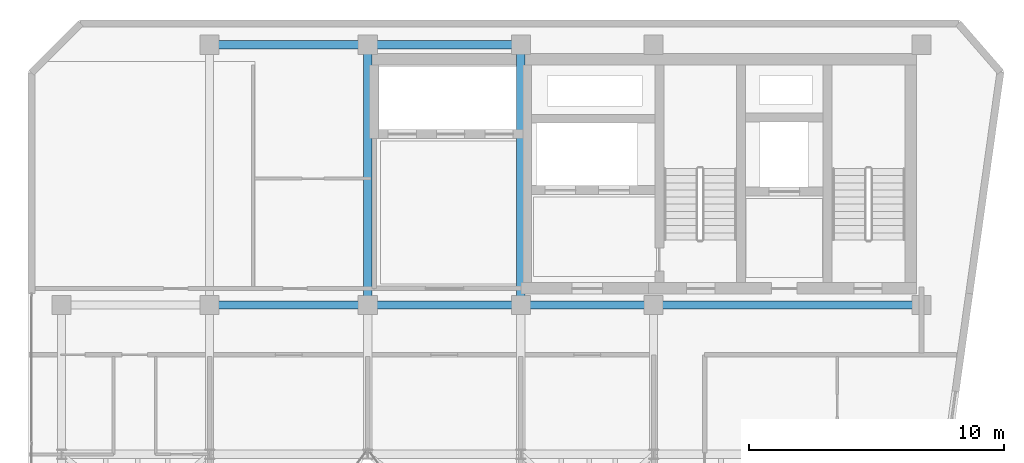
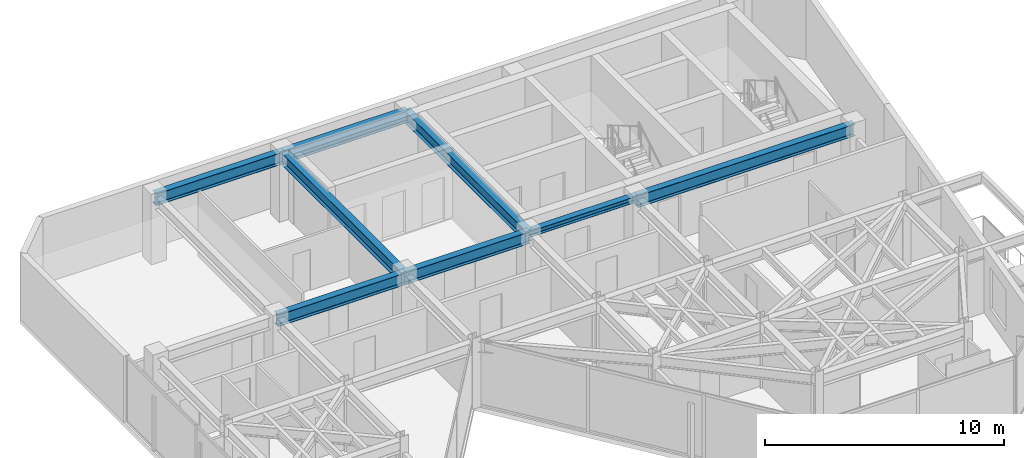
# One storey, part 11 of 17: 8 beams.
"""IFC4 building model written with IfcOpenShell, lengths in metres."""

from ifc_helpers import new_model, si_unit, direction, frame, origin, origin_2d, place, context, subcontext, project, spatial, i_section, extrude, material, material_profile, profile_set, type_object, element, save


model = new_model("IFC4")

# Units and contexts
model_context = context("Model", 3, precision=1e-05, world=origin(), true_north=direction((0.0, 1.0)))
body_context = subcontext(model_context, "Body", "Model", "MODEL_VIEW")
ifc_project = project(units=[si_unit("LENGTHUNIT", "METRE"), si_unit("AREAUNIT", "SQUARE_METRE"), si_unit("VOLUMEUNIT", "CUBIC_METRE"), si_unit("PLANEANGLEUNIT", "RADIAN"), si_unit("MASSUNIT", "GRAM", prefix="KILO")], contexts=[model_context])

# Site, building, storey
site_placement = place(None, origin())
site = spatial("IfcSite", under=ifc_project, at=site_placement, CompositionType="ELEMENT")
building_placement = place(site_placement, origin())
building = spatial("IfcBuilding", under=site, at=building_placement, Name="Kravanh Interchange Tower", CompositionType="ELEMENT")
storey_placement = place(building_placement, frame((0.0, 0.0, 289.5)))
storey = spatial("IfcBuildingStorey", under=building, at=storey_placement, Name="L71", CompositionType="ELEMENT", Elevation=289.5)

# Beams
ifc_material_1 = material(Name="Structural Steel S355", Category="steel")
ifc_material_profile_1 = material_profile(ifc_material_1, i_section(OverallWidth=0.323974609375, OverallDepth=0.611083984375, WebThickness=0.0126953125, FlangeThickness=0.01904296875, FilletRadius=0.02197265625, at=origin_2d()), Name="W24X104")
ifc_profile_set_1 = profile_set([ifc_material_profile_1], Name="Structural Steel S355")
beam_type_1 = type_object("IfcBeamType", Name="Floor Beam W24X104 Structural Steel S355", PredefinedType="BEAM", material=ifc_profile_set_1)
beam_1_placement = place(storey_placement, frame((66.5, 37.35009765625, 3.0595703125), z_axis=(-1.0, 0.0, 0.0), x_axis=(0.0, -1.0, 0.0)))
element("IfcBeam", 1, at=beam_1_placement, inside=storey, type_object=beam_type_1, Name="L71 Primary Floor Girder 38", PredefinedType="BEAM", context=body_context, shape_type="SweptSolid", body=[
    extrude(i_section(OverallWidth=0.323974609375, OverallDepth=0.611083984375, WebThickness=0.0126953125, FlangeThickness=0.01904296875, FilletRadius=0.02197265625, at=origin_2d()), origin(), (0.0, 0.0, 1.0), 10.5),
])
beam_2_placement = place(storey_placement, frame((50.800048828125, 47.550048828125, 3.0595703125), z_axis=(-1.0, 0.0, 0.0), x_axis=(0.0, -1.0, 0.0)))
element("IfcBeam", 2, at=beam_2_placement, inside=storey, type_object=beam_type_1, Name="L71 Primary Floor Girder 40", PredefinedType="BEAM", context=body_context, shape_type="SweptSolid", body=[
    extrude(i_section(OverallWidth=0.323974609375, OverallDepth=0.611083984375, WebThickness=0.0126953125, FlangeThickness=0.01904296875, FilletRadius=0.02197265625, at=origin_2d()), origin(), (0.0, 0.0, 1.0), 6.0),
])
beam_3_placement = place(storey_placement, frame((50.800048828125, 47.550048828125, 3.0595703125), z_axis=(0.0, -1.0, 0.0), x_axis=(1.0, 0.0, 0.0)))
element("IfcBeam", 3, at=beam_3_placement, inside=storey, type_object=beam_type_1, Name="L71 Primary Floor Girder 41", PredefinedType="BEAM", context=body_context, shape_type="SweptSolid", body=[
    extrude(i_section(OverallWidth=0.323974609375, OverallDepth=0.611083984375, WebThickness=0.0126953125, FlangeThickness=0.01904296875, FilletRadius=0.02197265625, at=origin_2d()), origin(), (0.0, 0.0, 1.0), 10.199951171875),
])
beam_4_placement = place(storey_placement, frame((50.800048828125, 37.35009765625, 3.0595703125), z_axis=(-1.0, 0.0, 0.0), x_axis=(0.0, -1.0, 0.0)))
element("IfcBeam", 4, at=beam_4_placement, inside=storey, type_object=beam_type_1, Name="L71 Primary Floor Girder 42", PredefinedType="BEAM", context=body_context, shape_type="SweptSolid", body=[
    extrude(i_section(OverallWidth=0.323974609375, OverallDepth=0.611083984375, WebThickness=0.0126953125, FlangeThickness=0.01904296875, FilletRadius=0.02197265625, at=origin_2d()), origin(), (0.0, 0.0, 1.0), 6.0),
])
beam_5_placement = place(storey_placement, frame((44.800048828125, 37.35009765625, 3.0595703125), z_axis=(-1.0, 0.0, 0.0), x_axis=(0.0, -1.0, 0.0)))
element("IfcBeam", 5, at=beam_5_placement, inside=storey, type_object=beam_type_1, Name="L71 Primary Floor Girder 43", PredefinedType="BEAM", context=body_context, shape_type="SweptSolid", body=[
    extrude(i_section(OverallWidth=0.323974609375, OverallDepth=0.611083984375, WebThickness=0.0126953125, FlangeThickness=0.01904296875, FilletRadius=0.02197265625, at=origin_2d()), origin(), (0.0, 0.0, 1.0), 6.199951171875),
])
beam_6_placement = place(storey_placement, frame((44.800048828125, 37.35009765625, 3.0595703125), z_axis=(0.0, 1.0, 0.0), x_axis=(-1.0, 0.0, 0.0)))
element("IfcBeam", 6, at=beam_6_placement, inside=storey, type_object=beam_type_1, Name="L71 Primary Floor Girder 44", PredefinedType="BEAM", context=body_context, shape_type="SweptSolid", body=[
    extrude(i_section(OverallWidth=0.323974609375, OverallDepth=0.611083984375, WebThickness=0.0126953125, FlangeThickness=0.01904296875, FilletRadius=0.02197265625, at=origin_2d()), origin(), (0.0, 0.0, 1.0), 10.199951171875),
])
beam_7_placement = place(storey_placement, frame((44.800048828125, 47.550048828125, 3.0595703125), z_axis=(-1.0, 0.0, 0.0), x_axis=(0.0, -1.0, 0.0)))
element("IfcBeam", 7, at=beam_7_placement, inside=storey, type_object=beam_type_1, Name="L71 Primary Floor Girder 45", PredefinedType="BEAM", context=body_context, shape_type="SweptSolid", body=[
    extrude(i_section(OverallWidth=0.323974609375, OverallDepth=0.611083984375, WebThickness=0.0126953125, FlangeThickness=0.01904296875, FilletRadius=0.02197265625, at=origin_2d()), origin(), (0.0, 0.0, 1.0), 6.199951171875),
])
ifc_material_2 = material(Name="Structural Steel S355", Category="steel")
ifc_material_profile_2 = material_profile(ifc_material_2, i_section(OverallWidth=0.304931640625, OverallDepth=0.306884765625, WebThickness=0.010009765625, FlangeThickness=0.015380859375, FilletRadius=0.014892578125, at=origin_2d()), Name="W12X65")
ifc_profile_set_2 = profile_set([ifc_material_profile_2], Name="Structural Steel S355")
beam_type_2 = type_object("IfcBeamType", Name="Floor Lintel W12X65 Structural Steel S355", PredefinedType="LINTEL", material=ifc_profile_set_2)
beam_8_placement = place(storey_placement, frame((50.800048828125, 37.35009765625, 3.21142578125), z_axis=(1.0, 0.0, 0.0), x_axis=(0.0, 1.0, 0.0)))
element("IfcBeam", 8, at=beam_8_placement, inside=storey, type_object=beam_type_2, Name="L71 Core Coupling Lintel 1", PredefinedType="LINTEL", context=body_context, shape_type="SweptSolid", body=[
    extrude(i_section(OverallWidth=0.304931640625, OverallDepth=0.306884765625, WebThickness=0.010009765625, FlangeThickness=0.015380859375, FilletRadius=0.014892578125, at=origin_2d()), origin(), (0.0, 0.0, 1.0), 5.199951171875),
])

save(model, "model.ifc")
